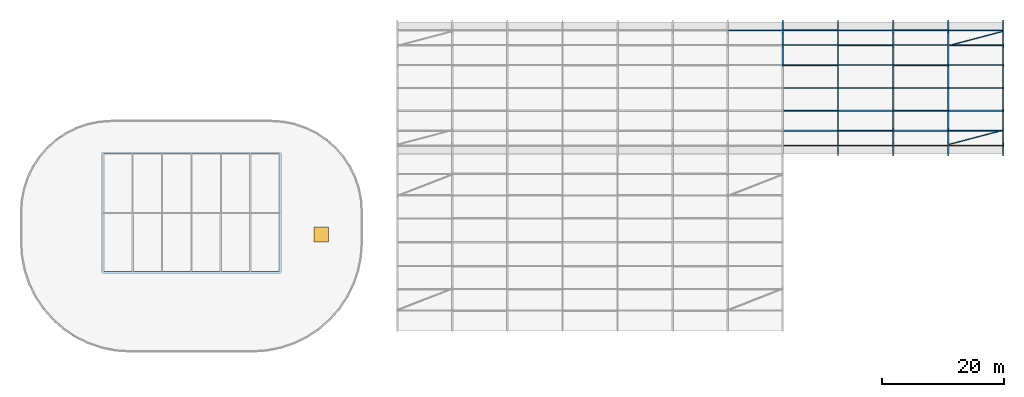
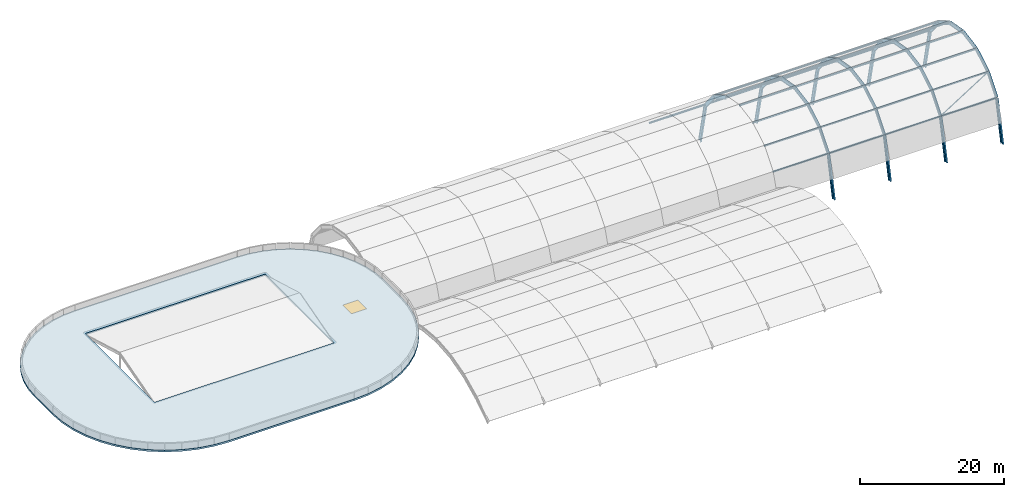
# One storey, part 6 of 15: 66 members, 1 slab, 1 window, 1 opening.
"""IFC4 building model written with IfcOpenShell, lengths in metres."""

import ifcopenshell
import ifcopenshell.guid

model = None  # the IFC model being written
_history = None  # IfcOwnerHistory: only IFC2X3 demands one
_inside = {}  # id of a spatial element -> (the spatial element, [elements in it])
_under = {}  # id of a project, library or spatial element -> (it, [spatial elements below it])
_declared = {}  # id of a project -> (the project, [libraries it declares])
_typed = {}  # id of a type object -> (the type object, [elements of that type])
_made_of = {}  # id of a material, layer set ... -> (it, [elements and type objects made of it])


def new_model(schema):
    """Start an empty IFC model of exactly this schema.

    Asked for "IFC4X3", IfcOpenShell would pick the latest addendum, in which some entities
    have other attributes; the version numbers below select the first issue.
    IFC2X3 requires an IfcOwnerHistory on every rooted entity: one is made here for all.
    """
    global model, _history
    if schema == "IFC4X3":
        model = ifcopenshell.file(schema_version=(4, 3, 0, 0))
    else:
        model = ifcopenshell.file(schema=schema)
    _inside.clear()
    _under.clear()
    _declared.clear()
    _typed.clear()
    _made_of.clear()
    _history = None
    if model.schema == "IFC2X3":
        org = make("IfcOrganization", Name="unknown")
        user = make(
            "IfcPersonAndOrganization",
            ThePerson=make("IfcPerson", FamilyName="unknown"),
            TheOrganization=org,
        )
        app = make(
            "IfcApplication",
            ApplicationDeveloper=org,
            Version="unknown",
            ApplicationFullName="unknown",
            ApplicationIdentifier="unknown",
        )
        _history = make(
            "IfcOwnerHistory",
            OwningUser=user,
            OwningApplication=app,
            ChangeAction="ADDED",
            CreationDate=0,
        )
    return model


def make(cls, **values):
    """One entity of the class cls with the attributes given. An attribute that is None is left unset."""
    return model.create_entity(
        cls, **{name: value for name, value in values.items() if value is not None}
    )


def rooted(cls, **values):
    """An entity with a GlobalId (a new one), such as an element, a storey or a relation."""
    return make(cls, GlobalId=ifcopenshell.guid.new(), OwnerHistory=_history, **values)


def si_unit(unit_type, name, prefix=None):
    """IfcSIUnit, for example si_unit("LENGTHUNIT", "METRE", prefix="MILLI")."""
    return make("IfcSIUnit", UnitType=unit_type, Prefix=prefix, Name=name)


def assignment(units):
    """IfcUnitAssignment: the units of a project."""
    return None if units is None else make("IfcUnitAssignment", Units=units)


def point(xyz):
    """IfcCartesianPoint."""
    return None if xyz is None else make("IfcCartesianPoint", Coordinates=xyz)


def direction(xyz):
    """IfcDirection."""
    return None if xyz is None else make("IfcDirection", DirectionRatios=xyz)


def frame(location, z_axis=None, x_axis=None):
    """IfcAxis2Placement3D, a coordinate frame: its origin and axes. An axis left out is left unset."""
    return make(
        "IfcAxis2Placement3D",
        Location=point(location),
        Axis=direction(z_axis),
        RefDirection=direction(x_axis),
    )


def frame_2d(location, x_axis=None):
    """IfcAxis2Placement2D, a coordinate frame in the plane: its origin and x axis."""
    return make(
        "IfcAxis2Placement2D", Location=point(location), RefDirection=direction(x_axis)
    )


def origin():
    """The frame at (0, 0, 0) with its axes left unset."""
    return frame((0.0, 0.0, 0.0))


def origin_2d():
    """The frame at (0, 0) in the plane with its x axis left unset."""
    return frame_2d((0.0, 0.0))


def place(relative_to, where):
    """IfcLocalPlacement: puts the frame where relative to a parent placement (None: the world)."""
    return make(
        "IfcLocalPlacement", PlacementRelTo=relative_to, RelativePlacement=where
    )


def context(
    kind, dimensions, precision=None, world=None, true_north=None, identifier=None
):
    """IfcGeometricRepresentationContext, for example the 3D "Model" context."""
    return make(
        "IfcGeometricRepresentationContext",
        ContextIdentifier=identifier,
        ContextType=kind,
        CoordinateSpaceDimension=dimensions,
        Precision=precision,
        WorldCoordinateSystem=world,
        TrueNorth=true_north,
    )


def subcontext(parent, identifier, kind, view, scale=None):
    """IfcGeometricRepresentationSubContext, for example "Body" below "Model"."""
    return make(
        "IfcGeometricRepresentationSubContext",
        ContextIdentifier=identifier,
        ContextType=kind,
        ParentContext=parent,
        TargetScale=scale,
        TargetView=view,
    )


def project(units=None, contexts=None):
    """IfcProject with its units and contexts."""
    return rooted(
        "IfcProject",
        Name="project",
        RepresentationContexts=contexts,
        UnitsInContext=assignment(units),
    )


def spatial(cls, under=None, at=None, **own):
    """A site, building, storey or space (cls), placed at a placement, below another one or the project."""
    s = rooted(cls, ObjectPlacement=at, **own)
    if under is not None:
        _under.setdefault(under.id(), (under, []))[1].append(s)
    return s


def polyline(points):
    """IfcPolyline through the points."""
    return make("IfcPolyline", Points=[point(p) for p in points])


def profile(cls, at=None, kind="AREA", **sizes):
    """A parametric profile (cls). Its sizes go by their IFC names, for example OverallWidth=200.0."""
    return make(cls, ProfileType=kind, Position=at, **sizes)


def rectangle(**sizes):
    """IfcRectangleProfileDef."""
    return profile("IfcRectangleProfileDef", **sizes)


def hollow_circle(**sizes):
    """IfcCircleHollowProfileDef."""
    return profile("IfcCircleHollowProfileDef", **sizes)


def i_section(**sizes):
    """IfcIShapeProfileDef."""
    return profile("IfcIShapeProfileDef", **sizes)


def outline(outer, holes=None, kind="AREA"):
    """IfcArbitraryClosedProfileDef: a profile drawn as a closed curve; with holes, ...WithVoids."""
    if holes is None:
        return make("IfcArbitraryClosedProfileDef", ProfileType=kind, OuterCurve=outer)
    return make(
        "IfcArbitraryProfileDefWithVoids",
        ProfileType=kind,
        OuterCurve=outer,
        InnerCurves=holes,
    )


def extrude(swept, where, along, depth):
    """IfcExtrudedAreaSolid: the profile swept, set in the frame where, extruded along a direction by depth."""
    return make(
        "IfcExtrudedAreaSolid",
        SweptArea=swept,
        Position=where,
        ExtrudedDirection=direction(along),
        Depth=depth,
    )


def shape(context_of_items, identifier, shape_type, items):
    """IfcShapeRepresentation: the items that make up one representation, for example the "Body"."""
    return make(
        "IfcShapeRepresentation",
        ContextOfItems=context_of_items,
        RepresentationIdentifier=identifier,
        RepresentationType=shape_type,
        Items=items,
    )


def material(Name=None, Category=None):
    """IfcMaterial."""
    return make("IfcMaterial", Name=Name, Category=Category)


def layer(
    of_material, thickness, ventilated=None, Name=None, Category=None, Priority=None
):
    """IfcMaterialLayer: one layer of a wall or slab, of a material (None: an air gap)."""
    return make(
        "IfcMaterialLayer",
        Material=of_material,
        LayerThickness=thickness,
        IsVentilated=ventilated,
        Name=Name,
        Category=Category,
        Priority=Priority,
    )


def layer_set(layers, Name=None):
    """IfcMaterialLayerSet."""
    return make("IfcMaterialLayerSet", MaterialLayers=layers, LayerSetName=Name)


def material_profile(
    of_material, cross_section, Name=None, Category=None, Priority=None
):
    """IfcMaterialProfile: a cross section and its material."""
    return make(
        "IfcMaterialProfile",
        Name=Name,
        Material=of_material,
        Profile=cross_section,
        Priority=Priority,
        Category=Category,
    )


def profile_set(profiles, Name=None, composite=None):
    """IfcMaterialProfileSet."""
    return make(
        "IfcMaterialProfileSet",
        Name=Name,
        MaterialProfiles=profiles,
        CompositeProfile=composite,
    )


def made_of(thing, what):
    """Note that an element or type object is made of a material, layer set ...; save() writes the relation."""
    if what is not None:
        _made_of.setdefault(what.id(), (what, []))[1].append(thing)
    return thing


def type_object(cls, material=None, **own):
    """A type object (cls), such as IfcWallType, which elements share."""
    return made_of(rooted(cls, **own), material)


def element(
    cls,
    number,
    at=None,
    inside=None,
    cuts=None,
    type_object=None,
    material=None,
    context=None,
    identifier="Body",
    shape_type=None,
    held_by="IfcProductDefinitionShape",
    body=None,
    shapes=None,
    **own,
):
    """One element of the class cls, such as IfcWall. Its Tag is "e" and its number.

    at: its placement. inside: the storey or other place that contains it. cuts: it is an
    opening in that element (IfcRelVoidsElement). A single representation is given by context,
    identifier, shape_type and body (its items); several are given by shapes. held_by: the class
    of the entity that holds the representations. save() writes the other relations.
    """
    e = rooted(cls, Tag="e%d" % number, ObjectPlacement=at, **own)
    if body is not None:
        shapes = [shape(context, identifier, shape_type, body)]
    if shapes is not None:
        e.Representation = make(held_by, Representations=shapes)
    if inside is not None:
        _inside.setdefault(inside.id(), (inside, []))[1].append(e)
    if cuts is not None:
        rooted(
            "IfcRelVoidsElement", RelatingBuildingElement=cuts, RelatedOpeningElement=e
        )
    if type_object is not None:
        _typed.setdefault(type_object.id(), (type_object, []))[1].append(e)
    return made_of(e, material)


def fill(opening, filler):
    """IfcRelFillsElement: the door or window that sits in an opening."""
    return rooted(
        "IfcRelFillsElement",
        RelatingOpeningElement=opening,
        RelatedBuildingElement=filler,
    )


def aggregate(whole, parts):
    """IfcRelAggregates: a whole, such as a stair, and the parts it consists of."""
    return rooted("IfcRelAggregates", RelatingObject=whole, RelatedObjects=parts)


def save(model, path):
    """Write the relations noted so far, then the file.

    IfcRelAggregates (storeys below a building ...), IfcRelContainedInSpatialStructure (elements
    in a storey), IfcRelDefinesByType, IfcRelAssociatesMaterial and IfcRelDeclares: one each for
    every whole, place, type object, material and project.
    """
    for whole, parts in _under.values():
        aggregate(whole, parts)
    for where, things in _inside.values():
        rooted(
            "IfcRelContainedInSpatialStructure",
            RelatedElements=things,
            RelatingStructure=where,
        )
    for kind, things in _typed.values():
        rooted("IfcRelDefinesByType", RelatedObjects=things, RelatingType=kind)
    for what, things in _made_of.values():
        rooted("IfcRelAssociatesMaterial", RelatedObjects=things, RelatingMaterial=what)
    for by, libraries in _declared.values():
        rooted("IfcRelDeclares", RelatingContext=by, RelatedDefinitions=libraries)
    model.write(path)


model = new_model("IFC4")

# Units and contexts
model_context = context("Model", 3, precision=1e-05, world=origin(), true_north=direction((0.0, 1.0)))
body_context = subcontext(model_context, "Body", "Model", "MODEL_VIEW")
ifc_project = project(units=[si_unit("LENGTHUNIT", "METRE"), si_unit("AREAUNIT", "SQUARE_METRE"), si_unit("VOLUMEUNIT", "CUBIC_METRE"), si_unit("PLANEANGLEUNIT", "RADIAN"), si_unit("MASSUNIT", "GRAM", prefix="KILO")], contexts=[model_context])

# Site, building, storey
site_placement = place(None, origin())
site = spatial("IfcSite", under=ifc_project, at=site_placement, CompositionType="ELEMENT")
building_placement = place(site_placement, origin())
building = spatial("IfcBuilding", under=site, at=building_placement, Name="Cendralis Terraced Arcade", CompositionType="ELEMENT")
storey_placement = place(building_placement, frame((0.0, 0.0, 34.199951171875)))
storey = spatial("IfcBuildingStorey", under=building, at=storey_placement, Name="RF", CompositionType="ELEMENT", Elevation=34.199951171875)

# Members
ifc_material_1 = material(Name="Steel ASTM A992 Grade 50", Category="steel")
ifc_material_profile_1 = material_profile(ifc_material_1, i_section(OverallWidth=0.22900390625, OverallDepth=0.612060546875, WebThickness=0.011962890625, FlangeThickness=0.01953125, FilletRadius=0.012939453125, at=origin_2d()), Name="W610X125", Category="LoadBearing")
ifc_profile_set_1 = profile_set([ifc_material_profile_1], Name="Steel ASTM A992 Grade 50")
member_type_1 = type_object("IfcMemberType", Name="MEM-ARCH-W610", PredefinedType="RAFTER", material=ifc_profile_set_1)
member_1_placement = place(storey_placement, frame((130.199951171875, 52.875, -7.59375), z_axis=(0.0, 0.862040098356, -0.506840082103), x_axis=(-1.0, 0.0, 0.0)))
element("IfcMember", 1, at=member_1_placement, inside=storey, type_object=member_type_1, Name="Shopping Arcade Barrel Vault Arch Rib VA-ARC-R08-S6", PredefinedType="RAFTER", context=body_context, shape_type="SweptSolid", body=[
    extrude(i_section(OverallWidth=0.22900390625, OverallDepth=0.612060546875, WebThickness=0.011962890625, FlangeThickness=0.01953125, FilletRadius=0.012939453125, at=origin_2d()), origin(), (0.0, 0.0, 1.0), 3.733642578125),
])
member_2_placement = place(storey_placement, frame((130.199951171875, 56.093505859375, -9.486083984375), z_axis=(0.0, 0.632732000931, -0.774370851077), x_axis=(-1.0, 0.0, 0.0)))
element("IfcMember", 2, at=member_2_placement, inside=storey, type_object=member_type_1, Name="Shopping Arcade Barrel Vault Arch Rib VA-ARC-R08-S7", PredefinedType="RAFTER", context=body_context, shape_type="SweptSolid", body=[
    extrude(i_section(OverallWidth=0.22900390625, OverallDepth=0.612060546875, WebThickness=0.011962890625, FlangeThickness=0.01953125, FilletRadius=0.012939453125, at=origin_2d()), origin(), (0.0, 0.0, 1.0), 3.7333984375),
])
for number, where, z_axis, x_axis, name in (
    (3, (130.199951171875, 58.455810546875, -12.377197265625), (0.0, 0.217706662043, -0.976014246465), (-1.0, 0.0, 0.0), "Shopping Arcade Barrel Vault Arch Rib VA-ARC-R08-S8"),
    (4, (139.199951171875, 38.39990234375, -19.300048828125), (0.0, 0.217739450322, 0.976006932236), (-1.0, 0.0, 0.0), "Shopping Arcade Barrel Vault Arch Rib VA-ARC-R09-S1"),
):
    element("IfcMember", number, at=place(storey_placement, frame(where, z_axis=z_axis, x_axis=x_axis)), inside=storey, type_object=member_type_1, Name=name, PredefinedType="RAFTER", context=body_context, shape_type="SweptSolid", body=[
        extrude(i_section(OverallWidth=0.22900390625, OverallDepth=0.612060546875, WebThickness=0.011962890625, FlangeThickness=0.01953125, FilletRadius=0.012939453125, at=origin_2d()), origin(), (0.0, 0.0, 1.0), 7.093017578125),
    ])
member_3_placement = place(storey_placement, frame((139.199951171875, 39.9443359375, -12.377197265625), z_axis=(0.0, 0.632692786232, 0.774402891427), x_axis=(-1.0, 0.0, 0.0)))
element("IfcMember", 5, at=member_3_placement, inside=storey, type_object=member_type_1, Name="Shopping Arcade Barrel Vault Arch Rib VA-ARC-R09-S2", PredefinedType="RAFTER", context=body_context, shape_type="SweptSolid", body=[
    extrude(i_section(OverallWidth=0.22900390625, OverallDepth=0.612060546875, WebThickness=0.011962890625, FlangeThickness=0.01953125, FilletRadius=0.012939453125, at=origin_2d()), origin(), (0.0, 0.0, 1.0), 3.7333984375),
])
member_4_placement = place(storey_placement, frame((139.199951171875, 42.306396484375, -9.486083984375), z_axis=(0.0, 0.862040098356, 0.506840082103), x_axis=(-1.0, 0.0, 0.0)))
element("IfcMember", 6, at=member_4_placement, inside=storey, type_object=member_type_1, Name="Shopping Arcade Barrel Vault Arch Rib VA-ARC-R09-S3", PredefinedType="RAFTER", context=body_context, shape_type="SweptSolid", body=[
    extrude(i_section(OverallWidth=0.22900390625, OverallDepth=0.612060546875, WebThickness=0.011962890625, FlangeThickness=0.01953125, FilletRadius=0.012939453125, at=origin_2d()), origin(), (0.0, 0.0, 1.0), 3.733642578125),
])
for number, where, z_axis, x_axis, name in (
    (7, (139.199951171875, 45.52490234375, -7.59375), (0.0, 0.984360008375, 0.176168595135), (-1.0, 0.0, 0.0), "Shopping Arcade Barrel Vault Arch Rib VA-ARC-R09-S4"),
    (8, (139.199951171875, 49.199951171875, -6.93603515625), (0.0, 0.984360008375, -0.176168595135), (-1.0, 0.0, 0.0), "Shopping Arcade Barrel Vault Arch Rib VA-ARC-R09-S5"),
):
    element("IfcMember", number, at=place(storey_placement, frame(where, z_axis=z_axis, x_axis=x_axis)), inside=storey, type_object=member_type_1, Name=name, PredefinedType="RAFTER", context=body_context, shape_type="SweptSolid", body=[
        extrude(i_section(OverallWidth=0.22900390625, OverallDepth=0.612060546875, WebThickness=0.011962890625, FlangeThickness=0.01953125, FilletRadius=0.012939453125, at=origin_2d()), origin(), (0.0, 0.0, 1.0), 3.7333984375),
    ])
member_5_placement = place(storey_placement, frame((139.199951171875, 52.875, -7.59375), z_axis=(0.0, 0.862040098356, -0.506840082103), x_axis=(-1.0, 0.0, 0.0)))
element("IfcMember", 9, at=member_5_placement, inside=storey, type_object=member_type_1, Name="Shopping Arcade Barrel Vault Arch Rib VA-ARC-R09-S6", PredefinedType="RAFTER", context=body_context, shape_type="SweptSolid", body=[
    extrude(i_section(OverallWidth=0.22900390625, OverallDepth=0.612060546875, WebThickness=0.011962890625, FlangeThickness=0.01953125, FilletRadius=0.012939453125, at=origin_2d()), origin(), (0.0, 0.0, 1.0), 3.733642578125),
])
member_6_placement = place(storey_placement, frame((139.199951171875, 56.093505859375, -9.486083984375), z_axis=(0.0, 0.632732000931, -0.774370851077), x_axis=(-1.0, 0.0, 0.0)))
element("IfcMember", 10, at=member_6_placement, inside=storey, type_object=member_type_1, Name="Shopping Arcade Barrel Vault Arch Rib VA-ARC-R09-S7", PredefinedType="RAFTER", context=body_context, shape_type="SweptSolid", body=[
    extrude(i_section(OverallWidth=0.22900390625, OverallDepth=0.612060546875, WebThickness=0.011962890625, FlangeThickness=0.01953125, FilletRadius=0.012939453125, at=origin_2d()), origin(), (0.0, 0.0, 1.0), 3.7333984375),
])
for number, where, z_axis, x_axis, name in (
    (11, (139.199951171875, 58.455810546875, -12.377197265625), (0.0, 0.217706662043, -0.976014246465), (-1.0, 0.0, 0.0), "Shopping Arcade Barrel Vault Arch Rib VA-ARC-R09-S8"),
    (12, (148.199951171875, 38.39990234375, -19.300048828125), (0.0, 0.217739450322, 0.976006932236), (-1.0, 0.0, 0.0), "Shopping Arcade Barrel Vault Arch Rib VA-ARC-R10-S1"),
):
    element("IfcMember", number, at=place(storey_placement, frame(where, z_axis=z_axis, x_axis=x_axis)), inside=storey, type_object=member_type_1, Name=name, PredefinedType="RAFTER", context=body_context, shape_type="SweptSolid", body=[
        extrude(i_section(OverallWidth=0.22900390625, OverallDepth=0.612060546875, WebThickness=0.011962890625, FlangeThickness=0.01953125, FilletRadius=0.012939453125, at=origin_2d()), origin(), (0.0, 0.0, 1.0), 7.093017578125),
    ])
member_7_placement = place(storey_placement, frame((148.199951171875, 39.9443359375, -12.377197265625), z_axis=(0.0, 0.632692786232, 0.774402891427), x_axis=(-1.0, 0.0, 0.0)))
element("IfcMember", 13, at=member_7_placement, inside=storey, type_object=member_type_1, Name="Shopping Arcade Barrel Vault Arch Rib VA-ARC-R10-S2", PredefinedType="RAFTER", context=body_context, shape_type="SweptSolid", body=[
    extrude(i_section(OverallWidth=0.22900390625, OverallDepth=0.612060546875, WebThickness=0.011962890625, FlangeThickness=0.01953125, FilletRadius=0.012939453125, at=origin_2d()), origin(), (0.0, 0.0, 1.0), 3.7333984375),
])
member_8_placement = place(storey_placement, frame((148.199951171875, 42.306396484375, -9.486083984375), z_axis=(0.0, 0.862040098356, 0.506840082103), x_axis=(-1.0, 0.0, 0.0)))
element("IfcMember", 14, at=member_8_placement, inside=storey, type_object=member_type_1, Name="Shopping Arcade Barrel Vault Arch Rib VA-ARC-R10-S3", PredefinedType="RAFTER", context=body_context, shape_type="SweptSolid", body=[
    extrude(i_section(OverallWidth=0.22900390625, OverallDepth=0.612060546875, WebThickness=0.011962890625, FlangeThickness=0.01953125, FilletRadius=0.012939453125, at=origin_2d()), origin(), (0.0, 0.0, 1.0), 3.733642578125),
])
for number, where, z_axis, x_axis, name in (
    (15, (148.199951171875, 45.52490234375, -7.59375), (0.0, 0.984360008375, 0.176168595135), (-1.0, 0.0, 0.0), "Shopping Arcade Barrel Vault Arch Rib VA-ARC-R10-S4"),
    (16, (148.199951171875, 49.199951171875, -6.93603515625), (0.0, 0.984360008375, -0.176168595135), (-1.0, 0.0, 0.0), "Shopping Arcade Barrel Vault Arch Rib VA-ARC-R10-S5"),
):
    element("IfcMember", number, at=place(storey_placement, frame(where, z_axis=z_axis, x_axis=x_axis)), inside=storey, type_object=member_type_1, Name=name, PredefinedType="RAFTER", context=body_context, shape_type="SweptSolid", body=[
        extrude(i_section(OverallWidth=0.22900390625, OverallDepth=0.612060546875, WebThickness=0.011962890625, FlangeThickness=0.01953125, FilletRadius=0.012939453125, at=origin_2d()), origin(), (0.0, 0.0, 1.0), 3.7333984375),
    ])
member_9_placement = place(storey_placement, frame((148.199951171875, 52.875, -7.59375), z_axis=(0.0, 0.862040098356, -0.506840082103), x_axis=(-1.0, 0.0, 0.0)))
element("IfcMember", 17, at=member_9_placement, inside=storey, type_object=member_type_1, Name="Shopping Arcade Barrel Vault Arch Rib VA-ARC-R10-S6", PredefinedType="RAFTER", context=body_context, shape_type="SweptSolid", body=[
    extrude(i_section(OverallWidth=0.22900390625, OverallDepth=0.612060546875, WebThickness=0.011962890625, FlangeThickness=0.01953125, FilletRadius=0.012939453125, at=origin_2d()), origin(), (0.0, 0.0, 1.0), 3.733642578125),
])
member_10_placement = place(storey_placement, frame((148.199951171875, 56.093505859375, -9.486083984375), z_axis=(0.0, 0.632732000931, -0.774370851077), x_axis=(-1.0, 0.0, 0.0)))
element("IfcMember", 18, at=member_10_placement, inside=storey, type_object=member_type_1, Name="Shopping Arcade Barrel Vault Arch Rib VA-ARC-R10-S7", PredefinedType="RAFTER", context=body_context, shape_type="SweptSolid", body=[
    extrude(i_section(OverallWidth=0.22900390625, OverallDepth=0.612060546875, WebThickness=0.011962890625, FlangeThickness=0.01953125, FilletRadius=0.012939453125, at=origin_2d()), origin(), (0.0, 0.0, 1.0), 3.7333984375),
])
for number, where, z_axis, x_axis, name in (
    (19, (148.199951171875, 58.455810546875, -12.377197265625), (0.0, 0.217706662043, -0.976014246465), (-1.0, 0.0, 0.0), "Shopping Arcade Barrel Vault Arch Rib VA-ARC-R10-S8"),
    (20, (157.199951171875, 38.39990234375, -19.300048828125), (0.0, 0.217739450322, 0.976006932236), (-1.0, 0.0, 0.0), "Shopping Arcade Barrel Vault Arch Rib VA-ARC-R11-S1"),
):
    element("IfcMember", number, at=place(storey_placement, frame(where, z_axis=z_axis, x_axis=x_axis)), inside=storey, type_object=member_type_1, Name=name, PredefinedType="RAFTER", context=body_context, shape_type="SweptSolid", body=[
        extrude(i_section(OverallWidth=0.22900390625, OverallDepth=0.612060546875, WebThickness=0.011962890625, FlangeThickness=0.01953125, FilletRadius=0.012939453125, at=origin_2d()), origin(), (0.0, 0.0, 1.0), 7.093017578125),
    ])
member_11_placement = place(storey_placement, frame((157.199951171875, 39.9443359375, -12.377197265625), z_axis=(0.0, 0.632692786232, 0.774402891427), x_axis=(-1.0, 0.0, 0.0)))
element("IfcMember", 21, at=member_11_placement, inside=storey, type_object=member_type_1, Name="Shopping Arcade Barrel Vault Arch Rib VA-ARC-R11-S2", PredefinedType="RAFTER", context=body_context, shape_type="SweptSolid", body=[
    extrude(i_section(OverallWidth=0.22900390625, OverallDepth=0.612060546875, WebThickness=0.011962890625, FlangeThickness=0.01953125, FilletRadius=0.012939453125, at=origin_2d()), origin(), (0.0, 0.0, 1.0), 3.7333984375),
])
member_12_placement = place(storey_placement, frame((157.199951171875, 42.306396484375, -9.486083984375), z_axis=(0.0, 0.862040098356, 0.506840082103), x_axis=(-1.0, 0.0, 0.0)))
element("IfcMember", 22, at=member_12_placement, inside=storey, type_object=member_type_1, Name="Shopping Arcade Barrel Vault Arch Rib VA-ARC-R11-S3", PredefinedType="RAFTER", context=body_context, shape_type="SweptSolid", body=[
    extrude(i_section(OverallWidth=0.22900390625, OverallDepth=0.612060546875, WebThickness=0.011962890625, FlangeThickness=0.01953125, FilletRadius=0.012939453125, at=origin_2d()), origin(), (0.0, 0.0, 1.0), 3.733642578125),
])
for number, where, z_axis, x_axis, name in (
    (23, (157.199951171875, 45.52490234375, -7.59375), (0.0, 0.984360008375, 0.176168595135), (-1.0, 0.0, 0.0), "Shopping Arcade Barrel Vault Arch Rib VA-ARC-R11-S4"),
    (24, (157.199951171875, 49.199951171875, -6.93603515625), (0.0, 0.984360008375, -0.176168595135), (-1.0, 0.0, 0.0), "Shopping Arcade Barrel Vault Arch Rib VA-ARC-R11-S5"),
):
    element("IfcMember", number, at=place(storey_placement, frame(where, z_axis=z_axis, x_axis=x_axis)), inside=storey, type_object=member_type_1, Name=name, PredefinedType="RAFTER", context=body_context, shape_type="SweptSolid", body=[
        extrude(i_section(OverallWidth=0.22900390625, OverallDepth=0.612060546875, WebThickness=0.011962890625, FlangeThickness=0.01953125, FilletRadius=0.012939453125, at=origin_2d()), origin(), (0.0, 0.0, 1.0), 3.7333984375),
    ])
member_13_placement = place(storey_placement, frame((157.199951171875, 52.875, -7.59375), z_axis=(0.0, 0.862040098356, -0.506840082103), x_axis=(-1.0, 0.0, 0.0)))
element("IfcMember", 25, at=member_13_placement, inside=storey, type_object=member_type_1, Name="Shopping Arcade Barrel Vault Arch Rib VA-ARC-R11-S6", PredefinedType="RAFTER", context=body_context, shape_type="SweptSolid", body=[
    extrude(i_section(OverallWidth=0.22900390625, OverallDepth=0.612060546875, WebThickness=0.011962890625, FlangeThickness=0.01953125, FilletRadius=0.012939453125, at=origin_2d()), origin(), (0.0, 0.0, 1.0), 3.733642578125),
])
member_14_placement = place(storey_placement, frame((157.199951171875, 56.093505859375, -9.486083984375), z_axis=(0.0, 0.632732000931, -0.774370851077), x_axis=(-1.0, 0.0, 0.0)))
element("IfcMember", 26, at=member_14_placement, inside=storey, type_object=member_type_1, Name="Shopping Arcade Barrel Vault Arch Rib VA-ARC-R11-S7", PredefinedType="RAFTER", context=body_context, shape_type="SweptSolid", body=[
    extrude(i_section(OverallWidth=0.22900390625, OverallDepth=0.612060546875, WebThickness=0.011962890625, FlangeThickness=0.01953125, FilletRadius=0.012939453125, at=origin_2d()), origin(), (0.0, 0.0, 1.0), 3.7333984375),
])
for number, where, z_axis, x_axis, name in (
    (27, (157.199951171875, 58.455810546875, -12.377197265625), (0.0, 0.217706662043, -0.976014246465), (-1.0, 0.0, 0.0), "Shopping Arcade Barrel Vault Arch Rib VA-ARC-R11-S8"),
    (28, (166.199951171875, 38.39990234375, -19.300048828125), (0.0, 0.217739450322, 0.976006932236), (-1.0, 0.0, 0.0), "Shopping Arcade Barrel Vault Arch Rib VA-ARC-R12-S1"),
):
    element("IfcMember", number, at=place(storey_placement, frame(where, z_axis=z_axis, x_axis=x_axis)), inside=storey, type_object=member_type_1, Name=name, PredefinedType="RAFTER", context=body_context, shape_type="SweptSolid", body=[
        extrude(i_section(OverallWidth=0.22900390625, OverallDepth=0.612060546875, WebThickness=0.011962890625, FlangeThickness=0.01953125, FilletRadius=0.012939453125, at=origin_2d()), origin(), (0.0, 0.0, 1.0), 7.093017578125),
    ])
member_15_placement = place(storey_placement, frame((166.199951171875, 39.9443359375, -12.377197265625), z_axis=(0.0, 0.632692786232, 0.774402891427), x_axis=(-1.0, 0.0, 0.0)))
element("IfcMember", 29, at=member_15_placement, inside=storey, type_object=member_type_1, Name="Shopping Arcade Barrel Vault Arch Rib VA-ARC-R12-S2", PredefinedType="RAFTER", context=body_context, shape_type="SweptSolid", body=[
    extrude(i_section(OverallWidth=0.22900390625, OverallDepth=0.612060546875, WebThickness=0.011962890625, FlangeThickness=0.01953125, FilletRadius=0.012939453125, at=origin_2d()), origin(), (0.0, 0.0, 1.0), 3.7333984375),
])
member_16_placement = place(storey_placement, frame((166.199951171875, 42.306396484375, -9.486083984375), z_axis=(0.0, 0.862040098356, 0.506840082103), x_axis=(-1.0, 0.0, 0.0)))
element("IfcMember", 30, at=member_16_placement, inside=storey, type_object=member_type_1, Name="Shopping Arcade Barrel Vault Arch Rib VA-ARC-R12-S3", PredefinedType="RAFTER", context=body_context, shape_type="SweptSolid", body=[
    extrude(i_section(OverallWidth=0.22900390625, OverallDepth=0.612060546875, WebThickness=0.011962890625, FlangeThickness=0.01953125, FilletRadius=0.012939453125, at=origin_2d()), origin(), (0.0, 0.0, 1.0), 3.733642578125),
])
for number, where, z_axis, x_axis, name in (
    (31, (166.199951171875, 45.52490234375, -7.59375), (0.0, 0.984360008375, 0.176168595135), (-1.0, 0.0, 0.0), "Shopping Arcade Barrel Vault Arch Rib VA-ARC-R12-S4"),
    (32, (166.199951171875, 49.199951171875, -6.93603515625), (0.0, 0.984360008375, -0.176168595135), (-1.0, 0.0, 0.0), "Shopping Arcade Barrel Vault Arch Rib VA-ARC-R12-S5"),
):
    element("IfcMember", number, at=place(storey_placement, frame(where, z_axis=z_axis, x_axis=x_axis)), inside=storey, type_object=member_type_1, Name=name, PredefinedType="RAFTER", context=body_context, shape_type="SweptSolid", body=[
        extrude(i_section(OverallWidth=0.22900390625, OverallDepth=0.612060546875, WebThickness=0.011962890625, FlangeThickness=0.01953125, FilletRadius=0.012939453125, at=origin_2d()), origin(), (0.0, 0.0, 1.0), 3.7333984375),
    ])
member_17_placement = place(storey_placement, frame((166.199951171875, 52.875, -7.59375), z_axis=(0.0, 0.862040098356, -0.506840082103), x_axis=(-1.0, 0.0, 0.0)))
element("IfcMember", 33, at=member_17_placement, inside=storey, type_object=member_type_1, Name="Shopping Arcade Barrel Vault Arch Rib VA-ARC-R12-S6", PredefinedType="RAFTER", context=body_context, shape_type="SweptSolid", body=[
    extrude(i_section(OverallWidth=0.22900390625, OverallDepth=0.612060546875, WebThickness=0.011962890625, FlangeThickness=0.01953125, FilletRadius=0.012939453125, at=origin_2d()), origin(), (0.0, 0.0, 1.0), 3.733642578125),
])
member_18_placement = place(storey_placement, frame((166.199951171875, 56.093505859375, -9.486083984375), z_axis=(0.0, 0.632732000931, -0.774370851077), x_axis=(-1.0, 0.0, 0.0)))
element("IfcMember", 34, at=member_18_placement, inside=storey, type_object=member_type_1, Name="Shopping Arcade Barrel Vault Arch Rib VA-ARC-R12-S7", PredefinedType="RAFTER", context=body_context, shape_type="SweptSolid", body=[
    extrude(i_section(OverallWidth=0.22900390625, OverallDepth=0.612060546875, WebThickness=0.011962890625, FlangeThickness=0.01953125, FilletRadius=0.012939453125, at=origin_2d()), origin(), (0.0, 0.0, 1.0), 3.7333984375),
])
member_19_placement = place(storey_placement, frame((166.199951171875, 58.455810546875, -12.377197265625), z_axis=(0.0, 0.217706662043, -0.976014246465), x_axis=(-1.0, 0.0, 0.0)))
element("IfcMember", 35, at=member_19_placement, inside=storey, type_object=member_type_1, Name="Shopping Arcade Barrel Vault Arch Rib VA-ARC-R12-S8", PredefinedType="RAFTER", context=body_context, shape_type="SweptSolid", body=[
    extrude(i_section(OverallWidth=0.22900390625, OverallDepth=0.612060546875, WebThickness=0.011962890625, FlangeThickness=0.01953125, FilletRadius=0.012939453125, at=origin_2d()), origin(), (0.0, 0.0, 1.0), 7.093017578125),
])
ifc_material_2 = material(Name="Steel ASTM A572 Grade 50", Category="steel")
ifc_material_profile_2 = material_profile(ifc_material_2, hollow_circle(Radius=0.083984375, WallThickness=0.008056640625, at=origin_2d()), Name="CHS168X8", Category="LoadBearing")
ifc_profile_set_2 = profile_set([ifc_material_profile_2], Name="Steel ASTM A572 Grade 50")
member_type_2 = type_object("IfcMemberType", Name="MEM-BRC-CHS168", PredefinedType="BRACE", material=ifc_profile_set_2)
for number, where, z_axis, x_axis, name in (
    (36, (157.215087890625, 39.9443359375, -12.377197265625), (0.923228228541, 0.243113500208, 0.297565898652), (-0.254648762963, 0.967033612405, 0.0), "Shopping Arcade Barrel Vault Wind Brace B11-K2"),
    (37, (157.215087890625, 56.093505859375, -9.486083984375), (0.923222588339, 0.243137142831, -0.297564080757), (-0.254673376236, 0.967027130662, 0.0), "Shopping Arcade Barrel Vault Wind Brace B11-K7"),
):
    element("IfcMember", number, at=place(storey_placement, frame(where, z_axis=z_axis, x_axis=x_axis)), inside=storey, type_object=member_type_2, Name=name, PredefinedType="BRACE", context=body_context, shape_type="SweptSolid", body=[
        extrude(hollow_circle(Radius=0.083984375, WallThickness=0.008056640625, at=origin_2d()), origin(), (0.0, 0.0, 1.0), 9.7158203125),
    ])
ifc_material_profile_3 = material_profile(ifc_material_1, i_section(OverallWidth=0.202880859375, OverallDepth=0.251953125, WebThickness=0.008056640625, FlangeThickness=0.013427734375, at=origin_2d()), Name="W250X58", Category="LoadBearing")
ifc_profile_set_3 = profile_set([ifc_material_profile_3], Name="Steel ASTM A992 Grade 50")
member_type_3 = type_object("IfcMemberType", Name="MEM-PUR-HSS180", PredefinedType="PURLIN", material=ifc_profile_set_3)
for number, where, z_axis, x_axis, name in (
    (38, (121.2119140625, 58.599853515625, -12.297119140625), (1.0, 0.0, 0.0), (0.0, 1.0, 0.0), "Shopping Arcade Barrel Vault Purlin B07-K7"),
    (39, (130.2119140625, 42.19921875, -9.36083984375), (1.0, 0.0, 0.0), (0.0, 1.0, 0.0), "Shopping Arcade Barrel Vault Purlin B08-K2"),
    (40, (130.2119140625, 49.199951171875, -6.77099609375), (1.0, 0.0, 0.0), (0.0, 1.0, 0.0), "Shopping Arcade Barrel Vault Purlin B08-K4"),
    (41, (130.2119140625, 56.200927734375, -9.36083984375), (1.0, 0.0, 0.0), (0.0, 1.0, 0.0), "Shopping Arcade Barrel Vault Purlin B08-K6"),
    (42, (139.2119140625, 39.800048828125, -12.297119140625), (1.0, 0.0, 0.0), (0.0, 1.0, 0.0), "Shopping Arcade Barrel Vault Purlin B09-K1"),
    (43, (139.2119140625, 45.4677734375, -7.439208984375), (1.0, 0.0, 0.0), (0.0, 1.0, 0.0), "Shopping Arcade Barrel Vault Purlin B09-K3"),
    (44, (139.2119140625, 52.932373046875, -7.439208984375), (1.0, 0.0, 0.0), (0.0, 1.0, 0.0), "Shopping Arcade Barrel Vault Purlin B09-K5"),
    (45, (139.2119140625, 58.599853515625, -12.297119140625), (1.0, 0.0, 0.0), (0.0, 1.0, 0.0), "Shopping Arcade Barrel Vault Purlin B09-K7"),
    (46, (148.2119140625, 42.19921875, -9.36083984375), (1.0, 0.0, 0.0), (0.0, 1.0, 0.0), "Shopping Arcade Barrel Vault Purlin B10-K2"),
    (47, (148.2119140625, 49.199951171875, -6.77099609375), (1.0, 0.0, 0.0), (0.0, 1.0, 0.0), "Shopping Arcade Barrel Vault Purlin B10-K4"),
    (48, (148.2119140625, 56.200927734375, -9.36083984375), (1.0, 0.0, 0.0), (0.0, 1.0, 0.0), "Shopping Arcade Barrel Vault Purlin B10-K6"),
    (49, (157.2119140625, 39.800048828125, -12.297119140625), (1.0, 0.0, 0.0), (0.0, 1.0, 0.0), "Shopping Arcade Barrel Vault Purlin B11-K1"),
    (50, (157.2119140625, 45.4677734375, -7.439208984375), (1.0, 0.0, 0.0), (0.0, 1.0, 0.0), "Shopping Arcade Barrel Vault Purlin B11-K3"),
    (51, (157.2119140625, 52.932373046875, -7.439208984375), (1.0, 0.0, 0.0), (0.0, 1.0, 0.0), "Shopping Arcade Barrel Vault Purlin B11-K5"),
    (52, (157.2119140625, 58.599853515625, -12.297119140625), (1.0, 0.0, 0.0), (0.0, 1.0, 0.0), "Shopping Arcade Barrel Vault Purlin B11-K7"),
):
    element("IfcMember", number, at=place(storey_placement, frame(where, z_axis=z_axis, x_axis=x_axis)), inside=storey, type_object=member_type_3, Name=name, PredefinedType="PURLIN", context=body_context, shape_type="SweptSolid", body=[
        extrude(i_section(OverallWidth=0.202880859375, OverallDepth=0.251953125, WebThickness=0.008056640625, FlangeThickness=0.013427734375, at=origin_2d()), origin(), (0.0, 0.0, 1.0), 8.97607421875),
    ])
ifc_material_profile_4 = material_profile(ifc_material_1, i_section(OverallWidth=0.14697265625, OverallDepth=0.261962890625, WebThickness=0.006591796875, FlangeThickness=0.01123046875, FilletRadius=0.010009765625, at=origin_2d()), Name="W250X38.5", Category="LoadBearing")
ifc_profile_set_4 = profile_set([ifc_material_profile_4], Name="Steel ASTM A992 Grade 50")
member_type_4 = type_object("IfcMemberType", Name="MEM-PUR-W250", PredefinedType="PURLIN", material=ifc_profile_set_4)
for number, where, z_axis, x_axis, name in (
    (53, (130.2119140625, 39.804443359375, -12.299560546875), (1.0, 0.0, 0.0), (0.0, 1.0, 0.0), "Shopping Arcade Barrel Vault Purlin B08-K1"),
    (54, (130.2119140625, 45.469482421875, -7.44384765625), (1.0, 0.0, 0.0), (0.0, 1.0, 0.0), "Shopping Arcade Barrel Vault Purlin B08-K3"),
    (55, (130.2119140625, 52.930419921875, -7.44384765625), (1.0, 0.0, 0.0), (0.0, 1.0, 0.0), "Shopping Arcade Barrel Vault Purlin B08-K5"),
    (56, (130.2119140625, 58.595458984375, -12.299560546875), (1.0, 0.0, 0.0), (0.0, 1.0, 0.0), "Shopping Arcade Barrel Vault Purlin B08-K7"),
    (57, (139.2119140625, 42.202392578125, -9.364501953125), (1.0, 0.0, 0.0), (0.0, 1.0, 0.0), "Shopping Arcade Barrel Vault Purlin B09-K2"),
    (58, (139.2119140625, 49.199951171875, -6.77587890625), (1.0, 0.0, 0.0), (0.0, 1.0, 0.0), "Shopping Arcade Barrel Vault Purlin B09-K4"),
    (59, (139.2119140625, 56.19775390625, -9.364501953125), (1.0, 0.0, 0.0), (0.0, 1.0, 0.0), "Shopping Arcade Barrel Vault Purlin B09-K6"),
    (60, (148.2119140625, 39.804443359375, -12.299560546875), (1.0, 0.0, 0.0), (0.0, 1.0, 0.0), "Shopping Arcade Barrel Vault Purlin B10-K1"),
    (61, (148.2119140625, 45.469482421875, -7.44384765625), (1.0, 0.0, 0.0), (0.0, 1.0, 0.0), "Shopping Arcade Barrel Vault Purlin B10-K3"),
    (62, (148.2119140625, 52.930419921875, -7.44384765625), (1.0, 0.0, 0.0), (0.0, 1.0, 0.0), "Shopping Arcade Barrel Vault Purlin B10-K5"),
    (63, (148.2119140625, 58.595458984375, -12.299560546875), (1.0, 0.0, 0.0), (0.0, 1.0, 0.0), "Shopping Arcade Barrel Vault Purlin B10-K7"),
    (64, (157.2119140625, 42.202392578125, -9.364501953125), (1.0, 0.0, 0.0), (0.0, 1.0, 0.0), "Shopping Arcade Barrel Vault Purlin B11-K2"),
    (65, (157.2119140625, 49.199951171875, -6.77587890625), (1.0, 0.0, 0.0), (0.0, 1.0, 0.0), "Shopping Arcade Barrel Vault Purlin B11-K4"),
    (66, (157.2119140625, 56.19775390625, -9.364501953125), (1.0, 0.0, 0.0), (0.0, 1.0, 0.0), "Shopping Arcade Barrel Vault Purlin B11-K6"),
):
    element("IfcMember", number, at=place(storey_placement, frame(where, z_axis=z_axis, x_axis=x_axis)), inside=storey, type_object=member_type_4, Name=name, PredefinedType="PURLIN", context=body_context, shape_type="SweptSolid", body=[
        extrude(i_section(OverallWidth=0.14697265625, OverallDepth=0.261962890625, WebThickness=0.006591796875, FlangeThickness=0.01123046875, FilletRadius=0.010009765625, at=origin_2d()), origin(), (0.0, 0.0, 1.0), 8.97607421875),
    ])

# Slab, opening, window
ifc_material_3 = material(Name="Concrete f'c 35 MPa", Category="concrete")
ifc_layer = layer(ifc_material_3, 0.294921875, Name="SLB-ROOF-295")
ifc_layer_set = layer_set([ifc_layer], Name="Concrete f'c 35 MPa")
slab_type = type_object("IfcSlabType", Name="SLB-ROOF-295", PredefinedType="ROOF", material=ifc_layer_set)
slab_placement = place(storey_placement, frame((0.0, 0.0, -0.294921875)))
slab = element("IfcSlab", 67, at=slab_placement, inside=storey, type_object=slab_type, Name="Insulated Flat Concrete Roof Slab ROOF-FLAT-RF-1", PredefinedType="ROOF", context=body_context, shape_type="SweptSolid", body=[
    extrude(outline(polyline([(5.728271484375, 30.9580078125), (6.111083984375, 32.88232421875), (6.74169921875, 34.740234375), (7.609619140625, 36.5), (8.69970703125, 38.13134765625), (9.993408203125, 39.606689453125), (11.468505859375, 40.900390625), (13.10009765625, 41.990478515625), (14.859619140625, 42.858154296875), (16.7177734375, 43.489013671875), (18.64208984375, 43.87158203125), (20.60009765625, 44.0), (46.60009765625, 44.0), (48.557861328125, 43.87158203125), (50.482421875, 43.489013671875), (52.34033203125, 42.858154296875), (54.10009765625, 41.990478515625), (55.7314453125, 40.900390625), (57.20654296875, 39.606689453125), (58.500244140625, 38.13134765625), (59.59033203125, 36.5), (60.458251953125, 34.740234375), (61.0888671875, 32.88232421875), (61.4716796875, 30.9580078125), (61.60009765625, 29.0), (61.60009765625, 24.0), (61.446044921875, 21.650390625), (60.98681640625, 19.34130859375), (60.229736328125, 17.11181640625), (59.1884765625, 15.0), (57.88037109375, 13.042236328125), (56.327880859375, 11.272216796875), (54.5576171875, 9.719482421875), (52.60009765625, 8.41162109375), (50.48828125, 7.3701171875), (48.2587890625, 6.61328125), (45.949462890625, 6.154052734375), (43.60009765625, 6.0), (23.60009765625, 6.0), (21.25048828125, 6.154052734375), (18.94140625, 6.61328125), (16.711669921875, 7.3701171875), (14.60009765625, 8.41162109375), (12.642333984375, 9.719482421875), (10.8720703125, 11.272216796875), (9.319580078125, 13.042236328125), (8.011474609375, 15.0), (6.97021484375, 17.11181640625), (6.21337890625, 19.34130859375), (5.75390625, 21.650390625), (5.60009765625, 24.0), (5.60009765625, 29.0), (5.728271484375, 30.9580078125)]), holes=[polyline([(48.0, 38.39990234375), (19.199951171875, 38.39990234375), (19.199951171875, 19.199951171875), (48.0, 19.199951171875), (48.0, 38.39990234375)])]), origin(), (0.0, 0.0, 1.0), 0.294921875),
])
opening_placement = place(slab_placement, frame((54.800048828125, 25.278076171875, 0.0)))
opening = element("IfcOpeningElement", 68, at=opening_placement, cuts=slab, Name="Opening SK-01", PredefinedType="OPENING", context=body_context, shape_type="SweptSolid", body=[
    extrude(rectangle(XDim=2.39990234375, YDim=2.39990234375, at=origin_2d()), frame((0.0, 0.0, -0.011962890625)), (0.0, 0.0, 1.0), 0.31884765625),
])
ifc_material_4 = material(Name="Tempered solar control laminated glass", Category="glass")
window_type = type_object("IfcWindowType", Name="SKY-2400x2400", PartitioningType="SINGLE_PANEL", PredefinedType="SKYLIGHT", material=ifc_material_4)
window_placement = place(opening_placement, frame((0.0, 0.0, 0.244873046875)))
window = element("IfcWindow", 69, at=window_placement, inside=storey, type_object=window_type, Name="Insulated Laminated Glass Roof Skylight SKY-RF-09", OverallHeight=2.39990234375, OverallWidth=2.39990234375, PartitioningType="SINGLE_PANEL", PredefinedType="SKYLIGHT", context=body_context, shape_type="SweptSolid", body=[
    extrude(rectangle(XDim=2.39990234375, YDim=2.39990234375, at=origin_2d()), origin(), (0.0, 0.0, 1.0), 0.050048828125),
])
fill(opening, window)

save(model, "model.ifc")
